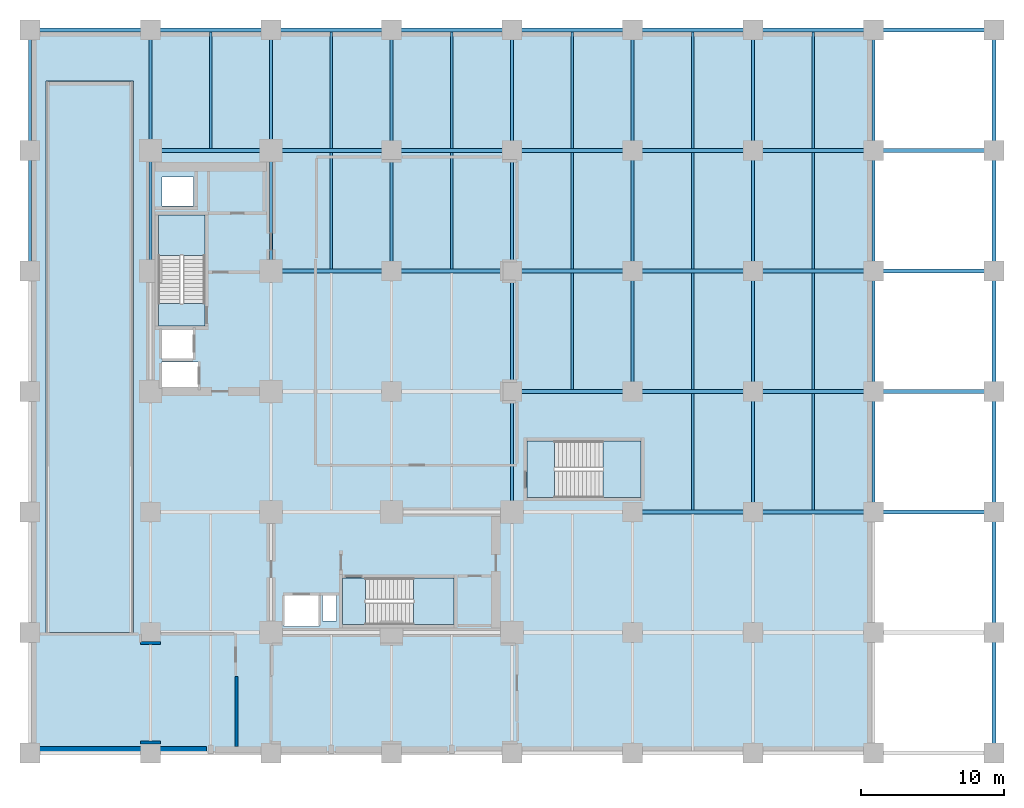
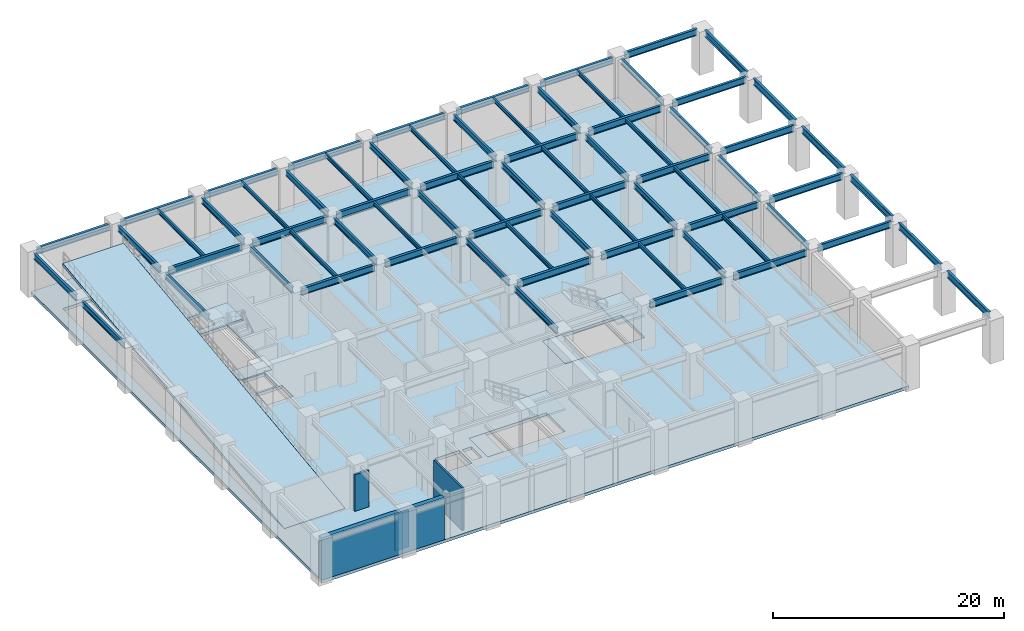
# One storey, part 2 of 7: 73 beams, 8 slabs, 4 walls, 3 elements without a shape of their own.
"""IFC4 building model written with IfcOpenShell, lengths in metres."""

from ifc_helpers import new_model, si_unit, direction, frame, frame_2d, origin, origin_2d, place, context, subcontext, project, spatial, polyline, rectangle, i_section, outline, extrude, material, layer, layer_set, material_profile, profile_set, type_object, element, aggregate, save


model = new_model("IFC4")

# Units and contexts
model_context = context("Model", 3, precision=1e-05, world=origin(), true_north=direction((0.0, 1.0)))
body_context = subcontext(model_context, "Body", "Model", "MODEL_VIEW")
ifc_project = project(units=[si_unit("LENGTHUNIT", "METRE"), si_unit("AREAUNIT", "SQUARE_METRE"), si_unit("VOLUMEUNIT", "CUBIC_METRE"), si_unit("PLANEANGLEUNIT", "RADIAN"), si_unit("MASSUNIT", "GRAM", prefix="KILO")], contexts=[model_context])

# Site, building, storey
site_placement = place(None, origin())
site = spatial("IfcSite", under=ifc_project, at=site_placement, CompositionType="ELEMENT")
building_placement = place(site_placement, origin())
building = spatial("IfcBuilding", under=site, at=building_placement, Name="Nerrivon Quay Data Exchange", CompositionType="ELEMENT")
storey_placement = place(building_placement, frame((0.0, 0.0, -4.800048828125)))
storey = spatial("IfcBuildingStorey", under=building, at=storey_placement, Name="B01", CompositionType="ELEMENT", Elevation=-4.800048828125)

# Beams
ifc_material_1 = material(Name="Steel Grade 350", Category="steel")
ifc_material_profile_1 = material_profile(ifc_material_1, i_section(OverallWidth=0.22900390625, OverallDepth=0.612060546875, WebThickness=0.011962890625, FlangeThickness=0.01953125, FilletRadius=0.013916015625, at=origin_2d()), Name="610UB125")
ifc_profile_set_1 = profile_set([ifc_material_profile_1], Name="Steel Grade 350")
beam_type_1 = type_object("IfcBeamType", Name="BM-G1-610UB125", PredefinedType="BEAM", material=ifc_profile_set_1)
for number, where, z_axis, x_axis, name in (
    (1, (0.0, 34.139892578125, 4.174072265625), (0.0, 1.0, 0.0), (-1.0, 0.0, 0.0), "B01 NS Girder X=0.0 (33.6..42.0)"),
    (2, (0.0, 42.5400390625, 4.174072265625), (0.0, 1.0, 0.0), (-1.0, 0.0, 0.0), "B01 NS Girder X=0.0 (42.0..50.4)"),
    (3, (8.39990234375, 34.139892578125, 4.174072265625), (0.0, 1.0, 0.0), (-1.0, 0.0, 0.0), "B01 NS Girder X=8.4 (33.6..42.0)"),
    (4, (8.39990234375, 42.5400390625, 4.174072265625), (0.0, 1.0, 0.0), (-1.0, 0.0, 0.0), "B01 NS Girder X=8.4 (42.0..50.4)"),
    (5, (16.800048828125, 34.139892578125, 4.174072265625), (0.0, 1.0, 0.0), (-1.0, 0.0, 0.0), "B01 NS Girder X=16.8 (33.6..42.0)"),
    (6, (16.800048828125, 42.5400390625, 4.174072265625), (0.0, 1.0, 0.0), (-1.0, 0.0, 0.0), "B01 NS Girder X=16.8 (42.0..50.4)"),
    (7, (25.199951171875, 34.139892578125, 4.174072265625), (0.0, 1.0, 0.0), (-1.0, 0.0, 0.0), "B01 NS Girder X=25.2 (33.6..42.0)"),
    (8, (25.199951171875, 42.5400390625, 4.174072265625), (0.0, 1.0, 0.0), (-1.0, 0.0, 0.0), "B01 NS Girder X=25.2 (42.0..50.4)"),
):
    element("IfcBeam", number, at=place(storey_placement, frame(where, z_axis=z_axis, x_axis=x_axis)), inside=storey, type_object=beam_type_1, Name=name, PredefinedType="BEAM", context=body_context, shape_type="SweptSolid", body=[
        extrude(i_section(OverallWidth=0.22900390625, OverallDepth=0.612060546875, WebThickness=0.011962890625, FlangeThickness=0.01953125, FilletRadius=0.013916015625, at=origin_2d()), origin(), (0.0, 0.0, 1.0), 7.320068359375),
    ])
beam_1_placement = place(storey_placement, frame((33.60009765625, 17.340087890625, 4.174072265625), z_axis=(0.0, 1.0, 0.0), x_axis=(-1.0, 0.0, 0.0)))
element("IfcBeam", 9, at=beam_1_placement, inside=storey, type_object=beam_type_1, Name="B01 NS Girder X=33.6 (16.8..25.2)", PredefinedType="BEAM", context=body_context, shape_type="SweptSolid", body=[
    extrude(i_section(OverallWidth=0.22900390625, OverallDepth=0.612060546875, WebThickness=0.011962890625, FlangeThickness=0.01953125, FilletRadius=0.013916015625, at=origin_2d()), origin(), (0.0, 0.0, 1.0), 7.31982421875),
])
for number, where, z_axis, x_axis, name in (
    (10, (33.60009765625, 25.739990234375, 4.174072265625), (0.0, 1.0, 0.0), (-1.0, 0.0, 0.0), "B01 NS Girder X=33.6 (25.2..33.6)"),
    (11, (33.60009765625, 34.139892578125, 4.174072265625), (0.0, 1.0, 0.0), (-1.0, 0.0, 0.0), "B01 NS Girder X=33.6 (33.6..42.0)"),
    (12, (33.60009765625, 42.5400390625, 4.174072265625), (0.0, 1.0, 0.0), (-1.0, 0.0, 0.0), "B01 NS Girder X=33.6 (42.0..50.4)"),
    (13, (42.0, 25.739990234375, 4.174072265625), (0.0, 1.0, 0.0), (-1.0, 0.0, 0.0), "B01 NS Girder X=42.0 (25.2..33.6)"),
    (14, (42.0, 34.139892578125, 4.174072265625), (0.0, 1.0, 0.0), (-1.0, 0.0, 0.0), "B01 NS Girder X=42.0 (33.6..42.0)"),
    (15, (42.0, 42.5400390625, 4.174072265625), (0.0, 1.0, 0.0), (-1.0, 0.0, 0.0), "B01 NS Girder X=42.0 (42.0..50.4)"),
):
    element("IfcBeam", number, at=place(storey_placement, frame(where, z_axis=z_axis, x_axis=x_axis)), inside=storey, type_object=beam_type_1, Name=name, PredefinedType="BEAM", context=body_context, shape_type="SweptSolid", body=[
        extrude(i_section(OverallWidth=0.22900390625, OverallDepth=0.612060546875, WebThickness=0.011962890625, FlangeThickness=0.01953125, FilletRadius=0.013916015625, at=origin_2d()), origin(), (0.0, 0.0, 1.0), 7.320068359375),
    ])
beam_2_placement = place(storey_placement, frame((50.39990234375, 17.340087890625, 4.174072265625), z_axis=(0.0, 1.0, 0.0), x_axis=(-1.0, 0.0, 0.0)))
element("IfcBeam", 16, at=beam_2_placement, inside=storey, type_object=beam_type_1, Name="B01 NS Girder X=50.4 (16.8..25.2)", PredefinedType="BEAM", context=body_context, shape_type="SweptSolid", body=[
    extrude(i_section(OverallWidth=0.22900390625, OverallDepth=0.612060546875, WebThickness=0.011962890625, FlangeThickness=0.01953125, FilletRadius=0.013916015625, at=origin_2d()), origin(), (0.0, 0.0, 1.0), 7.31982421875),
])
for number, where, z_axis, x_axis, name in (
    (17, (50.39990234375, 25.739990234375, 4.174072265625), (0.0, 1.0, 0.0), (-1.0, 0.0, 0.0), "B01 NS Girder X=50.4 (25.2..33.6)"),
    (18, (50.39990234375, 34.139892578125, 4.174072265625), (0.0, 1.0, 0.0), (-1.0, 0.0, 0.0), "B01 NS Girder X=50.4 (33.6..42.0)"),
    (19, (50.39990234375, 42.5400390625, 4.174072265625), (0.0, 1.0, 0.0), (-1.0, 0.0, 0.0), "B01 NS Girder X=50.4 (42.0..50.4)"),
):
    element("IfcBeam", number, at=place(storey_placement, frame(where, z_axis=z_axis, x_axis=x_axis)), inside=storey, type_object=beam_type_1, Name=name, PredefinedType="BEAM", context=body_context, shape_type="SweptSolid", body=[
        extrude(i_section(OverallWidth=0.22900390625, OverallDepth=0.612060546875, WebThickness=0.011962890625, FlangeThickness=0.01953125, FilletRadius=0.013916015625, at=origin_2d()), origin(), (0.0, 0.0, 1.0), 7.320068359375),
    ])
beam_3_placement = place(storey_placement, frame((58.800048828125, 17.340087890625, 4.174072265625), z_axis=(0.0, 1.0, 0.0), x_axis=(-1.0, 0.0, 0.0)))
element("IfcBeam", 20, at=beam_3_placement, inside=storey, type_object=beam_type_1, Name="B01 NS Girder X=58.8 (16.8..25.2)", PredefinedType="BEAM", context=body_context, shape_type="SweptSolid", body=[
    extrude(i_section(OverallWidth=0.22900390625, OverallDepth=0.612060546875, WebThickness=0.011962890625, FlangeThickness=0.01953125, FilletRadius=0.013916015625, at=origin_2d()), origin(), (0.0, 0.0, 1.0), 7.31982421875),
])
for number, where, z_axis, x_axis, name in (
    (21, (58.800048828125, 25.739990234375, 4.174072265625), (0.0, 1.0, 0.0), (-1.0, 0.0, 0.0), "B01 NS Girder X=58.8 (25.2..33.6)"),
    (22, (58.800048828125, 34.139892578125, 4.174072265625), (0.0, 1.0, 0.0), (-1.0, 0.0, 0.0), "B01 NS Girder X=58.8 (33.6..42.0)"),
    (23, (58.800048828125, 42.5400390625, 4.174072265625), (0.0, 1.0, 0.0), (-1.0, 0.0, 0.0), "B01 NS Girder X=58.8 (42.0..50.4)"),
):
    element("IfcBeam", number, at=place(storey_placement, frame(where, z_axis=z_axis, x_axis=x_axis)), inside=storey, type_object=beam_type_1, Name=name, PredefinedType="BEAM", context=body_context, shape_type="SweptSolid", body=[
        extrude(i_section(OverallWidth=0.22900390625, OverallDepth=0.612060546875, WebThickness=0.011962890625, FlangeThickness=0.01953125, FilletRadius=0.013916015625, at=origin_2d()), origin(), (0.0, 0.0, 1.0), 7.320068359375),
    ])
ifc_material_profile_2 = material_profile(ifc_material_1, i_section(OverallWidth=0.25, OverallDepth=0.699951171875, WebThickness=0.010009765625, FlangeThickness=0.02001953125, at=origin_2d()), Name="700WB130")
ifc_profile_set_2 = profile_set([ifc_material_profile_2], Name="Steel Grade 350")
beam_type_2 = type_object("IfcBeamType", Name="BM-G7-700WB130", PredefinedType="BEAM", material=ifc_profile_set_2)
for number, where, z_axis, x_axis, name in (
    (24, (42.5400390625, 16.800048828125, 4.130126953125), (1.0, 0.0, 0.0), (0.0, 1.0, 0.0), "B01 EW Girder Y=16.8 (42.0..50.4)"),
    (25, (50.93994140625, 16.800048828125, 4.130126953125), (1.0, 0.0, 0.0), (0.0, 1.0, 0.0), "B01 EW Girder Y=16.8 (50.4..58.8)"),
    (26, (34.139892578125, 25.199951171875, 4.130126953125), (1.0, 0.0, 0.0), (0.0, 1.0, 0.0), "B01 EW Girder Y=25.2 (33.6..42.0)"),
    (27, (42.5400390625, 25.199951171875, 4.130126953125), (1.0, 0.0, 0.0), (0.0, 1.0, 0.0), "B01 EW Girder Y=25.2 (42.0..50.4)"),
    (28, (50.93994140625, 25.199951171875, 4.130126953125), (1.0, 0.0, 0.0), (0.0, 1.0, 0.0), "B01 EW Girder Y=25.2 (50.4..58.8)"),
):
    element("IfcBeam", number, at=place(storey_placement, frame(where, z_axis=z_axis, x_axis=x_axis)), inside=storey, type_object=beam_type_2, Name=name, PredefinedType="BEAM", context=body_context, shape_type="SweptSolid", body=[
        extrude(i_section(OverallWidth=0.25, OverallDepth=0.699951171875, WebThickness=0.010009765625, FlangeThickness=0.02001953125, at=origin_2d()), origin(), (0.0, 0.0, 1.0), 7.320068359375),
    ])
beam_4_placement = place(storey_placement, frame((17.340087890625, 33.60009765625, 4.130126953125), z_axis=(1.0, 0.0, 0.0), x_axis=(0.0, 1.0, 0.0)))
element("IfcBeam", 29, at=beam_4_placement, inside=storey, type_object=beam_type_2, Name="B01 EW Girder Y=33.6 (16.8..25.2)", PredefinedType="BEAM", context=body_context, shape_type="SweptSolid", body=[
    extrude(i_section(OverallWidth=0.25, OverallDepth=0.699951171875, WebThickness=0.010009765625, FlangeThickness=0.02001953125, at=origin_2d()), origin(), (0.0, 0.0, 1.0), 7.31982421875),
])
for number, where, z_axis, x_axis, name in (
    (30, (25.739990234375, 33.60009765625, 4.130126953125), (1.0, 0.0, 0.0), (0.0, 1.0, 0.0), "B01 EW Girder Y=33.6 (25.2..33.6)"),
    (31, (34.139892578125, 33.60009765625, 4.130126953125), (1.0, 0.0, 0.0), (0.0, 1.0, 0.0), "B01 EW Girder Y=33.6 (33.6..42.0)"),
    (32, (42.5400390625, 33.60009765625, 4.130126953125), (1.0, 0.0, 0.0), (0.0, 1.0, 0.0), "B01 EW Girder Y=33.6 (42.0..50.4)"),
    (33, (50.93994140625, 33.60009765625, 4.130126953125), (1.0, 0.0, 0.0), (0.0, 1.0, 0.0), "B01 EW Girder Y=33.6 (50.4..58.8)"),
    (34, (8.93994140625, 42.0, 4.130126953125), (1.0, 0.0, 0.0), (0.0, 1.0, 0.0), "B01 EW Girder Y=42.0 (8.4..16.8)"),
):
    element("IfcBeam", number, at=place(storey_placement, frame(where, z_axis=z_axis, x_axis=x_axis)), inside=storey, type_object=beam_type_2, Name=name, PredefinedType="BEAM", context=body_context, shape_type="SweptSolid", body=[
        extrude(i_section(OverallWidth=0.25, OverallDepth=0.699951171875, WebThickness=0.010009765625, FlangeThickness=0.02001953125, at=origin_2d()), origin(), (0.0, 0.0, 1.0), 7.320068359375),
    ])
beam_5_placement = place(storey_placement, frame((17.340087890625, 42.0, 4.130126953125), z_axis=(1.0, 0.0, 0.0), x_axis=(0.0, 1.0, 0.0)))
element("IfcBeam", 35, at=beam_5_placement, inside=storey, type_object=beam_type_2, Name="B01 EW Girder Y=42.0 (16.8..25.2)", PredefinedType="BEAM", context=body_context, shape_type="SweptSolid", body=[
    extrude(i_section(OverallWidth=0.25, OverallDepth=0.699951171875, WebThickness=0.010009765625, FlangeThickness=0.02001953125, at=origin_2d()), origin(), (0.0, 0.0, 1.0), 7.31982421875),
])
for number, where, z_axis, x_axis, name in (
    (36, (25.739990234375, 42.0, 4.130126953125), (1.0, 0.0, 0.0), (0.0, 1.0, 0.0), "B01 EW Girder Y=42.0 (25.2..33.6)"),
    (37, (34.139892578125, 42.0, 4.130126953125), (1.0, 0.0, 0.0), (0.0, 1.0, 0.0), "B01 EW Girder Y=42.0 (33.6..42.0)"),
    (38, (42.5400390625, 42.0, 4.130126953125), (1.0, 0.0, 0.0), (0.0, 1.0, 0.0), "B01 EW Girder Y=42.0 (42.0..50.4)"),
    (39, (50.93994140625, 42.0, 4.130126953125), (1.0, 0.0, 0.0), (0.0, 1.0, 0.0), "B01 EW Girder Y=42.0 (50.4..58.8)"),
    (40, (0.5400390625, 50.39990234375, 4.130126953125), (1.0, 0.0, 0.0), (0.0, 1.0, 0.0), "B01 EW Girder Y=50.4 (0.0..8.4)"),
    (41, (8.93994140625, 50.39990234375, 4.130126953125), (1.0, 0.0, 0.0), (0.0, 1.0, 0.0), "B01 EW Girder Y=50.4 (8.4..16.8)"),
):
    element("IfcBeam", number, at=place(storey_placement, frame(where, z_axis=z_axis, x_axis=x_axis)), inside=storey, type_object=beam_type_2, Name=name, PredefinedType="BEAM", context=body_context, shape_type="SweptSolid", body=[
        extrude(i_section(OverallWidth=0.25, OverallDepth=0.699951171875, WebThickness=0.010009765625, FlangeThickness=0.02001953125, at=origin_2d()), origin(), (0.0, 0.0, 1.0), 7.320068359375),
    ])
beam_6_placement = place(storey_placement, frame((17.340087890625, 50.39990234375, 4.130126953125), z_axis=(1.0, 0.0, 0.0), x_axis=(0.0, 1.0, 0.0)))
element("IfcBeam", 42, at=beam_6_placement, inside=storey, type_object=beam_type_2, Name="B01 EW Girder Y=50.4 (16.8..25.2)", PredefinedType="BEAM", context=body_context, shape_type="SweptSolid", body=[
    extrude(i_section(OverallWidth=0.25, OverallDepth=0.699951171875, WebThickness=0.010009765625, FlangeThickness=0.02001953125, at=origin_2d()), origin(), (0.0, 0.0, 1.0), 7.31982421875),
])
for number, where, z_axis, x_axis, name in (
    (43, (25.739990234375, 50.39990234375, 4.130126953125), (1.0, 0.0, 0.0), (0.0, 1.0, 0.0), "B01 EW Girder Y=50.4 (25.2..33.6)"),
    (44, (34.139892578125, 50.39990234375, 4.130126953125), (1.0, 0.0, 0.0), (0.0, 1.0, 0.0), "B01 EW Girder Y=50.4 (33.6..42.0)"),
    (45, (42.5400390625, 50.39990234375, 4.130126953125), (1.0, 0.0, 0.0), (0.0, 1.0, 0.0), "B01 EW Girder Y=50.4 (42.0..50.4)"),
    (46, (50.93994140625, 50.39990234375, 4.130126953125), (1.0, 0.0, 0.0), (0.0, 1.0, 0.0), "B01 EW Girder Y=50.4 (50.4..58.8)"),
):
    element("IfcBeam", number, at=place(storey_placement, frame(where, z_axis=z_axis, x_axis=x_axis)), inside=storey, type_object=beam_type_2, Name=name, PredefinedType="BEAM", context=body_context, shape_type="SweptSolid", body=[
        extrude(i_section(OverallWidth=0.25, OverallDepth=0.699951171875, WebThickness=0.010009765625, FlangeThickness=0.02001953125, at=origin_2d()), origin(), (0.0, 0.0, 1.0), 7.320068359375),
    ])
for number, where, z_axis, x_axis, name in (
    (47, (59.340087890625, 16.800048828125, 4.199951171875), (1.0, 0.0, 0.0), (0.0, 1.0, 0.0), "B01 Promenade Tie Girder Y=16.8"),
    (48, (59.340087890625, 25.199951171875, 4.199951171875), (1.0, 0.0, 0.0), (0.0, 1.0, 0.0), "B01 Promenade Tie Girder Y=25.2"),
    (49, (59.340087890625, 33.60009765625, 4.199951171875), (1.0, 0.0, 0.0), (0.0, 1.0, 0.0), "B01 Promenade Tie Girder Y=33.6"),
    (50, (59.340087890625, 42.0, 4.199951171875), (1.0, 0.0, 0.0), (0.0, 1.0, 0.0), "B01 Promenade Tie Girder Y=42.0"),
    (51, (59.340087890625, 50.39990234375, 4.199951171875), (1.0, 0.0, 0.0), (0.0, 1.0, 0.0), "B01 Promenade Tie Girder Y=50.4"),
):
    element("IfcBeam", number, at=place(storey_placement, frame(where, z_axis=z_axis, x_axis=x_axis)), inside=storey, type_object=beam_type_2, Name=name, PredefinedType="BEAM", context=body_context, shape_type="SweptSolid", body=[
        extrude(i_section(OverallWidth=0.25, OverallDepth=0.699951171875, WebThickness=0.010009765625, FlangeThickness=0.02001953125, at=origin_2d()), origin(), (0.0, 0.0, 1.0), 7.31982421875),
    ])
for number, where, z_axis, x_axis, name in (
    (52, (67.199951171875, 0.5400390625, 4.199951171875), (0.0, 1.0, 0.0), (-1.0, 0.0, 0.0), "B01 Promenade Edge Girder (0.0..8.4)"),
    (53, (67.199951171875, 8.93994140625, 4.199951171875), (0.0, 1.0, 0.0), (-1.0, 0.0, 0.0), "B01 Promenade Edge Girder (8.4..16.8)"),
):
    element("IfcBeam", number, at=place(storey_placement, frame(where, z_axis=z_axis, x_axis=x_axis)), inside=storey, type_object=beam_type_2, Name=name, PredefinedType="BEAM", context=body_context, shape_type="SweptSolid", body=[
        extrude(i_section(OverallWidth=0.25, OverallDepth=0.699951171875, WebThickness=0.010009765625, FlangeThickness=0.02001953125, at=origin_2d()), origin(), (0.0, 0.0, 1.0), 7.320068359375),
    ])
beam_7_placement = place(storey_placement, frame((67.199951171875, 17.340087890625, 4.199951171875), z_axis=(0.0, 1.0, 0.0), x_axis=(-1.0, 0.0, 0.0)))
element("IfcBeam", 54, at=beam_7_placement, inside=storey, type_object=beam_type_2, Name="B01 Promenade Edge Girder (16.8..25.2)", PredefinedType="BEAM", context=body_context, shape_type="SweptSolid", body=[
    extrude(i_section(OverallWidth=0.25, OverallDepth=0.699951171875, WebThickness=0.010009765625, FlangeThickness=0.02001953125, at=origin_2d()), origin(), (0.0, 0.0, 1.0), 7.31982421875),
])
for number, where, z_axis, x_axis, name in (
    (55, (67.199951171875, 25.739990234375, 4.199951171875), (0.0, 1.0, 0.0), (-1.0, 0.0, 0.0), "B01 Promenade Edge Girder (25.2..33.6)"),
    (56, (67.199951171875, 34.139892578125, 4.199951171875), (0.0, 1.0, 0.0), (-1.0, 0.0, 0.0), "B01 Promenade Edge Girder (33.6..42.0)"),
    (57, (67.199951171875, 42.5400390625, 4.199951171875), (0.0, 1.0, 0.0), (-1.0, 0.0, 0.0), "B01 Promenade Edge Girder (42.0..50.4)"),
):
    element("IfcBeam", number, at=place(storey_placement, frame(where, z_axis=z_axis, x_axis=x_axis)), inside=storey, type_object=beam_type_2, Name=name, PredefinedType="BEAM", context=body_context, shape_type="SweptSolid", body=[
        extrude(i_section(OverallWidth=0.25, OverallDepth=0.699951171875, WebThickness=0.010009765625, FlangeThickness=0.02001953125, at=origin_2d()), origin(), (0.0, 0.0, 1.0), 7.320068359375),
    ])
ifc_material_profile_3 = material_profile(ifc_material_1, i_section(OverallWidth=0.177978515625, OverallDepth=0.406005859375, WebThickness=0.0078125, FlangeThickness=0.0126953125, FilletRadius=0.011474609375, at=origin_2d()), Name="410UB59.7")
ifc_profile_set_3 = profile_set([ifc_material_profile_3], Name="Steel Grade 350")
beam_type_3 = type_object("IfcBeamType", Name="BM-J1-410UB60", PredefinedType="JOIST", material=ifc_profile_set_3)
for number, where, z_axis, x_axis, name in (
    (58, (12.60009765625, 42.125, 4.277099609375), (0.0, 1.0, 0.0), (-1.0, 0.0, 0.0), "B01 Secondary Joist X=12.6 (42.0..50.4)"),
    (59, (21.0, 33.72509765625, 4.277099609375), (0.0, 1.0, 0.0), (-1.0, 0.0, 0.0), "B01 Secondary Joist X=21.0 (33.6..42.0)"),
    (60, (21.0, 42.125, 4.277099609375), (0.0, 1.0, 0.0), (-1.0, 0.0, 0.0), "B01 Secondary Joist X=21.0 (42.0..50.4)"),
    (61, (29.39990234375, 33.72509765625, 4.277099609375), (0.0, 1.0, 0.0), (-1.0, 0.0, 0.0), "B01 Secondary Joist X=29.4 (33.6..42.0)"),
    (62, (29.39990234375, 42.125, 4.277099609375), (0.0, 1.0, 0.0), (-1.0, 0.0, 0.0), "B01 Secondary Joist X=29.4 (42.0..50.4)"),
):
    element("IfcBeam", number, at=place(storey_placement, frame(where, z_axis=z_axis, x_axis=x_axis)), inside=storey, type_object=beam_type_3, Name=name, PredefinedType="JOIST", context=body_context, shape_type="SweptSolid", body=[
        extrude(i_section(OverallWidth=0.177978515625, OverallDepth=0.406005859375, WebThickness=0.0078125, FlangeThickness=0.0126953125, FilletRadius=0.011474609375, at=origin_2d()), origin(), (0.0, 0.0, 1.0), 8.14990234375),
    ])
beam_8_placement = place(storey_placement, frame((37.800048828125, 25.324951171875, 4.277099609375), z_axis=(0.0, 1.0, 0.0), x_axis=(-1.0, 0.0, 0.0)))
element("IfcBeam", 63, at=beam_8_placement, inside=storey, type_object=beam_type_3, Name="B01 Secondary Joist X=37.8 (25.2..33.6)", PredefinedType="JOIST", context=body_context, shape_type="SweptSolid", body=[
    extrude(i_section(OverallWidth=0.177978515625, OverallDepth=0.406005859375, WebThickness=0.0078125, FlangeThickness=0.0126953125, FilletRadius=0.011474609375, at=origin_2d()), origin(), (0.0, 0.0, 1.0), 8.150146484375),
])
for number, where, z_axis, x_axis, name in (
    (64, (37.800048828125, 33.72509765625, 4.277099609375), (0.0, 1.0, 0.0), (-1.0, 0.0, 0.0), "B01 Secondary Joist X=37.8 (33.6..42.0)"),
    (65, (37.800048828125, 42.125, 4.277099609375), (0.0, 1.0, 0.0), (-1.0, 0.0, 0.0), "B01 Secondary Joist X=37.8 (42.0..50.4)"),
    (66, (46.199951171875, 16.925048828125, 4.277099609375), (0.0, 1.0, 0.0), (-1.0, 0.0, 0.0), "B01 Secondary Joist X=46.2 (16.8..25.2)"),
):
    element("IfcBeam", number, at=place(storey_placement, frame(where, z_axis=z_axis, x_axis=x_axis)), inside=storey, type_object=beam_type_3, Name=name, PredefinedType="JOIST", context=body_context, shape_type="SweptSolid", body=[
        extrude(i_section(OverallWidth=0.177978515625, OverallDepth=0.406005859375, WebThickness=0.0078125, FlangeThickness=0.0126953125, FilletRadius=0.011474609375, at=origin_2d()), origin(), (0.0, 0.0, 1.0), 8.14990234375),
    ])
beam_9_placement = place(storey_placement, frame((46.199951171875, 25.324951171875, 4.277099609375), z_axis=(0.0, 1.0, 0.0), x_axis=(-1.0, 0.0, 0.0)))
element("IfcBeam", 67, at=beam_9_placement, inside=storey, type_object=beam_type_3, Name="B01 Secondary Joist X=46.2 (25.2..33.6)", PredefinedType="JOIST", context=body_context, shape_type="SweptSolid", body=[
    extrude(i_section(OverallWidth=0.177978515625, OverallDepth=0.406005859375, WebThickness=0.0078125, FlangeThickness=0.0126953125, FilletRadius=0.011474609375, at=origin_2d()), origin(), (0.0, 0.0, 1.0), 8.150146484375),
])
for number, where, z_axis, x_axis, name in (
    (68, (46.199951171875, 33.72509765625, 4.277099609375), (0.0, 1.0, 0.0), (-1.0, 0.0, 0.0), "B01 Secondary Joist X=46.2 (33.6..42.0)"),
    (69, (46.199951171875, 42.125, 4.277099609375), (0.0, 1.0, 0.0), (-1.0, 0.0, 0.0), "B01 Secondary Joist X=46.2 (42.0..50.4)"),
    (70, (54.60009765625, 16.925048828125, 4.277099609375), (0.0, 1.0, 0.0), (-1.0, 0.0, 0.0), "B01 Secondary Joist X=54.6 (16.8..25.2)"),
):
    element("IfcBeam", number, at=place(storey_placement, frame(where, z_axis=z_axis, x_axis=x_axis)), inside=storey, type_object=beam_type_3, Name=name, PredefinedType="JOIST", context=body_context, shape_type="SweptSolid", body=[
        extrude(i_section(OverallWidth=0.177978515625, OverallDepth=0.406005859375, WebThickness=0.0078125, FlangeThickness=0.0126953125, FilletRadius=0.011474609375, at=origin_2d()), origin(), (0.0, 0.0, 1.0), 8.14990234375),
    ])
beam_10_placement = place(storey_placement, frame((54.60009765625, 25.324951171875, 4.277099609375), z_axis=(0.0, 1.0, 0.0), x_axis=(-1.0, 0.0, 0.0)))
element("IfcBeam", 71, at=beam_10_placement, inside=storey, type_object=beam_type_3, Name="B01 Secondary Joist X=54.6 (25.2..33.6)", PredefinedType="JOIST", context=body_context, shape_type="SweptSolid", body=[
    extrude(i_section(OverallWidth=0.177978515625, OverallDepth=0.406005859375, WebThickness=0.0078125, FlangeThickness=0.0126953125, FilletRadius=0.011474609375, at=origin_2d()), origin(), (0.0, 0.0, 1.0), 8.150146484375),
])
for number, where, z_axis, x_axis, name in (
    (72, (54.60009765625, 33.72509765625, 4.277099609375), (0.0, 1.0, 0.0), (-1.0, 0.0, 0.0), "B01 Secondary Joist X=54.6 (33.6..42.0)"),
    (73, (54.60009765625, 42.125, 4.277099609375), (0.0, 1.0, 0.0), (-1.0, 0.0, 0.0), "B01 Secondary Joist X=54.6 (42.0..50.4)"),
):
    element("IfcBeam", number, at=place(storey_placement, frame(where, z_axis=z_axis, x_axis=x_axis)), inside=storey, type_object=beam_type_3, Name=name, PredefinedType="JOIST", context=body_context, shape_type="SweptSolid", body=[
        extrude(i_section(OverallWidth=0.177978515625, OverallDepth=0.406005859375, WebThickness=0.0078125, FlangeThickness=0.0126953125, FilletRadius=0.011474609375, at=origin_2d()), origin(), (0.0, 0.0, 1.0), 8.14990234375),
    ])

# Stair, slab
ifc_material_2 = material(Name="Concrete N50 (50 MPa)", Category="concrete")
stair_type = type_object("IfcStairType", Name="STAIR-DOG-48", PredefinedType="HALF_TURN_STAIR", material=ifc_material_2)
stair_1_placement = place(storey_placement, origin())
stair_1 = element("IfcStair", 74, at=stair_1_placement, inside=storey, type_object=stair_type, Name="B01 West Core Fire Stair ST01", PredefinedType="HALF_TURN_STAIR")
ifc_layer_1 = layer(ifc_material_2, 0.199951171875)
ifc_layer_set_1 = layer_set([ifc_layer_1], Name="Concrete N50 (50 MPa)")
slab_type_1 = type_object("IfcSlabType", Name="SLB-LAND-200", PredefinedType="LANDING", material=ifc_layer_set_1)
slab_1_placement = place(storey_placement, frame((0.0, 0.0, 2.199951171875)))
slab_1 = element("IfcSlab", 75, at=slab_1_placement, type_object=slab_type_1, Name="ST01 landing 1", PredefinedType="LANDING", context=body_context, shape_type="SweptSolid", body=[
    extrude(outline(polyline([(12.199951171875, 34.68994140625), (12.199951171875, 37.5), (8.949951171875, 37.5), (8.949951171875, 34.68994140625), (12.199951171875, 34.68994140625)])), origin(), (0.0, 0.0, 1.0), 0.2001953125),
])
aggregate(stair_1, [slab_1])

# Slab
slab_2_placement = place(storey_placement, frame((0.0, 0.0, -0.199951171875)))
element("IfcSlab", 76, at=slab_2_placement, inside=storey, type_object=slab_type_1, Name="B01 ST01 floor landing", PredefinedType="LANDING", context=body_context, shape_type="SweptSolid", body=[
    extrude(outline(polyline([(12.199951171875, 29.75), (12.199951171875, 31.330078125), (8.949951171875, 31.330078125), (8.949951171875, 29.75), (12.199951171875, 29.75)])), origin(), (0.0, 0.0, 1.0), 0.199951171875),
])

# Stair, slab
stair_2_placement = place(storey_placement, origin())
stair_2 = element("IfcStair", 77, at=stair_2_placement, inside=storey, type_object=stair_type, Name="B01 East Core Fire Stair ST02", PredefinedType="HALF_TURN_STAIR")
slab_3_placement = place(storey_placement, frame((0.0, 0.0, 2.199951171875)))
slab_3 = element("IfcSlab", 78, at=slab_3_placement, type_object=slab_type_1, Name="ST02 landing 1", PredefinedType="LANDING", context=body_context, shape_type="SweptSolid", body=[
    extrude(outline(polyline([(26.739990234375, 8.949951171875), (29.550048828125, 8.949951171875), (29.550048828125, 12.199951171875), (26.739990234375, 12.199951171875), (26.739990234375, 8.949951171875)])), origin(), (0.0, 0.0, 1.0), 0.2001953125),
])
aggregate(stair_2, [slab_3])

# Slab
slab_4_placement = place(storey_placement, frame((0.0, 0.0, -0.199951171875)))
element("IfcSlab", 79, at=slab_4_placement, inside=storey, type_object=slab_type_1, Name="B01 ST02 floor landing", PredefinedType="LANDING", context=body_context, shape_type="SweptSolid", body=[
    extrude(outline(polyline([(21.800048828125, 8.949951171875), (23.3798828125, 8.949951171875), (23.3798828125, 12.199951171875), (21.800048828125, 12.199951171875), (21.800048828125, 8.949951171875)])), origin(), (0.0, 0.0, 1.0), 0.199951171875),
])

# Stair, slab
stair_3_placement = place(storey_placement, origin())
stair_3 = element("IfcStair", 80, at=stair_3_placement, inside=storey, type_object=stair_type, Name="B01 Podium Exit Stair ST03", PredefinedType="HALF_TURN_STAIR")
slab_5_placement = place(storey_placement, frame((0.0, 0.0, 2.199951171875)))
slab_5 = element("IfcSlab", 81, at=slab_5_placement, type_object=slab_type_1, Name="ST03 landing 1", PredefinedType="LANDING", context=body_context, shape_type="SweptSolid", body=[
    extrude(outline(polyline([(39.929931640625, 17.800048828125), (42.60009765625, 17.800048828125), (42.60009765625, 21.75), (39.929931640625, 21.75), (39.929931640625, 17.800048828125)])), origin(), (0.0, 0.0, 1.0), 0.2001953125),
])
aggregate(stair_3, [slab_5])

# Slabs
slab_6_placement = place(storey_placement, frame((0.0, 0.0, -0.199951171875)))
element("IfcSlab", 82, at=slab_6_placement, inside=storey, type_object=slab_type_1, Name="B01 ST03 floor landing", PredefinedType="LANDING", context=body_context, shape_type="SweptSolid", body=[
    extrude(outline(polyline([(34.64990234375, 17.800048828125), (36.570068359375, 17.800048828125), (36.570068359375, 21.75), (34.64990234375, 21.75), (34.64990234375, 17.800048828125)])), origin(), (0.0, 0.0, 1.0), 0.199951171875),
])
ifc_layer_2 = layer(ifc_material_2, 0.320068359375)
ifc_layer_set_2 = layer_set([ifc_layer_2], Name="Concrete N50 (50 MPa)")
slab_type_2 = type_object("IfcSlabType", Name="SLB-POD-320", PredefinedType="FLOOR", material=ifc_layer_set_2)
slab_7_placement = place(storey_placement, frame((0.0, 0.0, -0.320068359375)))
element("IfcSlab", 83, at=slab_7_placement, inside=storey, type_object=slab_type_2, Name="B01 Primary Structural Slab", PredefinedType="FLOOR", context=body_context, shape_type="SweptSolid", body=[
    extrude(outline(polyline([(58.800048828125, 0.0), (58.800048828125, 50.39990234375), (0.0, 50.39990234375), (0.0, 0.0), (58.800048828125, 0.0)]), holes=[polyline([(8.949951171875, 29.75), (8.949951171875, 37.5), (12.199951171875, 37.5), (12.199951171875, 29.75), (8.949951171875, 29.75)]), polyline([(21.800048828125, 12.199951171875), (29.550048828125, 12.199951171875), (29.550048828125, 8.949951171875), (21.800048828125, 8.949951171875), (21.800048828125, 12.199951171875)]), polyline([(34.64990234375, 21.75), (42.60009765625, 21.75), (42.60009765625, 17.800048828125), (34.64990234375, 17.800048828125), (34.64990234375, 21.75)]), polyline([(20.39990234375, 9.199951171875), (20.39990234375, 11.0), (21.35009765625, 11.0), (21.35009765625, 9.199951171875), (20.39990234375, 9.199951171875)]), polyline([(20.14990234375, 8.830078125), (17.699951171875, 8.830078125), (17.699951171875, 11.030029296875), (20.14990234375, 11.030029296875), (20.14990234375, 8.830078125)]), polyline([(9.14990234375, 25.35009765625), (9.14990234375, 27.25), (11.75, 27.25), (11.75, 25.35009765625), (9.14990234375, 25.35009765625)]), polyline([(9.14990234375, 27.449951171875), (9.14990234375, 29.60009765625), (11.39990234375, 29.60009765625), (11.39990234375, 27.449951171875), (9.14990234375, 27.449951171875)]), polyline([(9.199951171875, 38.14990234375), (9.199951171875, 40.14990234375), (11.39990234375, 40.14990234375), (11.39990234375, 38.14990234375), (9.199951171875, 38.14990234375)]), polyline([(7.199951171875, 9.10009765625), (1.10009765625, 9.10009765625), (1.10009765625, 46.800048828125), (7.199951171875, 46.800048828125), (7.199951171875, 9.10009765625)])]), origin(), (0.0, 0.0, 1.0), 0.320068359375),
])
ifc_material_3 = material(Name="Concrete N40 (40 MPa)", Category="concrete")
ifc_layer_3 = layer(ifc_material_3, 0.300048828125)
ifc_layer_set_3 = layer_set([ifc_layer_3], Name="Concrete N40 (40 MPa)")
slab_type_3 = type_object("IfcSlabType", Name="SLB-RAMP-300", PredefinedType="BASESLAB", material=ifc_layer_set_3)
slab_8_placement = place(storey_placement, frame((1.10009765625, 8.39990234375, 0.0), z_axis=(0.0, -0.124035511046, 0.992277779656), x_axis=(1.0, 0.0, 0.0)))
element("IfcSlab", 84, at=slab_8_placement, inside=storey, type_object=slab_type_3, Name="Basement Two-Way Vehicle Ramp Slab SRM-300", PredefinedType="BASESLAB", context=body_context, shape_type="SweptSolid", body=[
    extrude(outline(polyline([(0.0, 0.0), (6.099853515625, 0.0), (6.099853515625, 38.69898860143301), (0.0, 38.69898860143301), (0.0, 0.0)])), origin(), (0.0, 0.0, -1.0), 0.300048828125),
])

# Walls
ifc_material_4 = material(Name="Gypsum plasterboard on cold-formed framing", Category="gypsum")
ifc_layer_4 = layer(ifc_material_4, 0.199951171875)
ifc_layer_set_4 = layer_set([ifc_layer_4], Name="Gypsum plasterboard on cold-formed framing")
wall_type_1 = type_object("IfcWallType", Name="WALL-FW-200", PredefinedType="PARTITIONING", material=ifc_layer_set_4)
wall_1_placement = place(storey_placement, frame((7.699951171875, 0.719970703125, 0.0), z_axis=(0.0, 0.0, 1.0), x_axis=(1.0, 0.0, 0.0)))
element("IfcWall", 85, at=wall_1_placement, inside=storey, type_object=wall_type_1, Name="B01 Partition UPS & Battery Plant Room", PredefinedType="PARTITIONING", context=body_context, shape_type="SweptSolid", body=[
    extrude(rectangle(XDim=1.400146484375, YDim=0.199951171875, at=frame_2d((0.7001953125, 0.0))), origin(), (0.0, 0.0, 1.0), 3.8681640625),
])
wall_2_placement = place(storey_placement, frame((14.39990234375, 0.4541015625, 0.0), z_axis=(0.0, 0.0, 1.0), x_axis=(0.0, 1.0, 0.0)))
element("IfcWall", 86, at=wall_2_placement, inside=storey, type_object=wall_type_1, Name="B01 Partition UPS & Battery Plant Room", PredefinedType="PARTITIONING", context=body_context, shape_type="SweptSolid", body=[
    extrude(rectangle(XDim=4.885986328125, YDim=0.199951171875, at=frame_2d((2.44287109375, 0.0))), origin(), (0.0, 0.0, 1.0), 4.47998046875),
])
wall_3_placement = place(storey_placement, frame((9.10009765625, 7.679931640625, 0.0), z_axis=(0.0, 0.0, 1.0), x_axis=(-1.0, 0.0, 0.0)))
element("IfcWall", 87, at=wall_3_placement, inside=storey, type_object=wall_type_1, Name="B01 Partition UPS & Battery Plant Room", PredefinedType="PARTITIONING", context=body_context, shape_type="SweptSolid", body=[
    extrude(rectangle(XDim=1.400146484375, YDim=0.199951171875, at=frame_2d((0.7001953125, 0.0))), origin(), (0.0, 0.0, 1.0), 3.8681640625),
])
ifc_layer_5 = layer(ifc_material_2, 0.449951171875)
ifc_layer_set_5 = layer_set([ifc_layer_5], Name="Concrete N50 (50 MPa)")
wall_type_2 = type_object("IfcWallType", Name="WALL-RET-450", PredefinedType="SOLIDWALL", material=ifc_layer_set_5)
wall_4_placement = place(storey_placement, frame((0.0, 0.22509765625, 0.0), z_axis=(0.0, 0.0, 1.0), x_axis=(1.0, 0.0, 0.0)))
element("IfcWall", 88, at=wall_4_placement, inside=storey, type_object=wall_type_2, Name="B01 Perimeter Retaining Wall S1", PredefinedType="SOLIDWALL", context=body_context, shape_type="SweptSolid", body=[
    extrude(rectangle(XDim=12.300048828125, YDim=0.449951171875, at=frame_2d((6.14990234375, 0.0))), origin(), (0.0, 0.0, 1.0), 4.47998046875),
])

save(model, "model.ifc")
